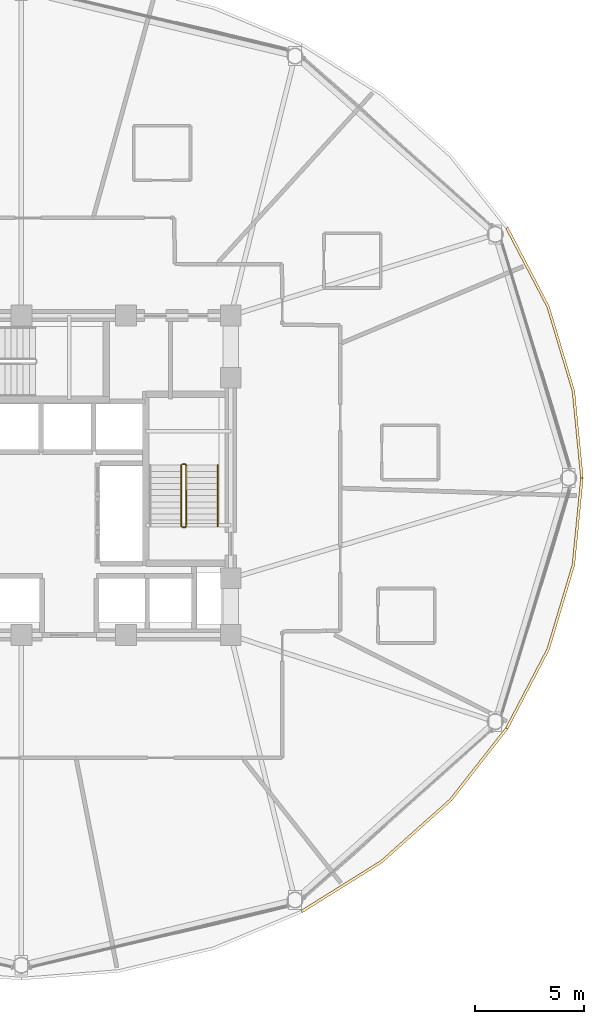
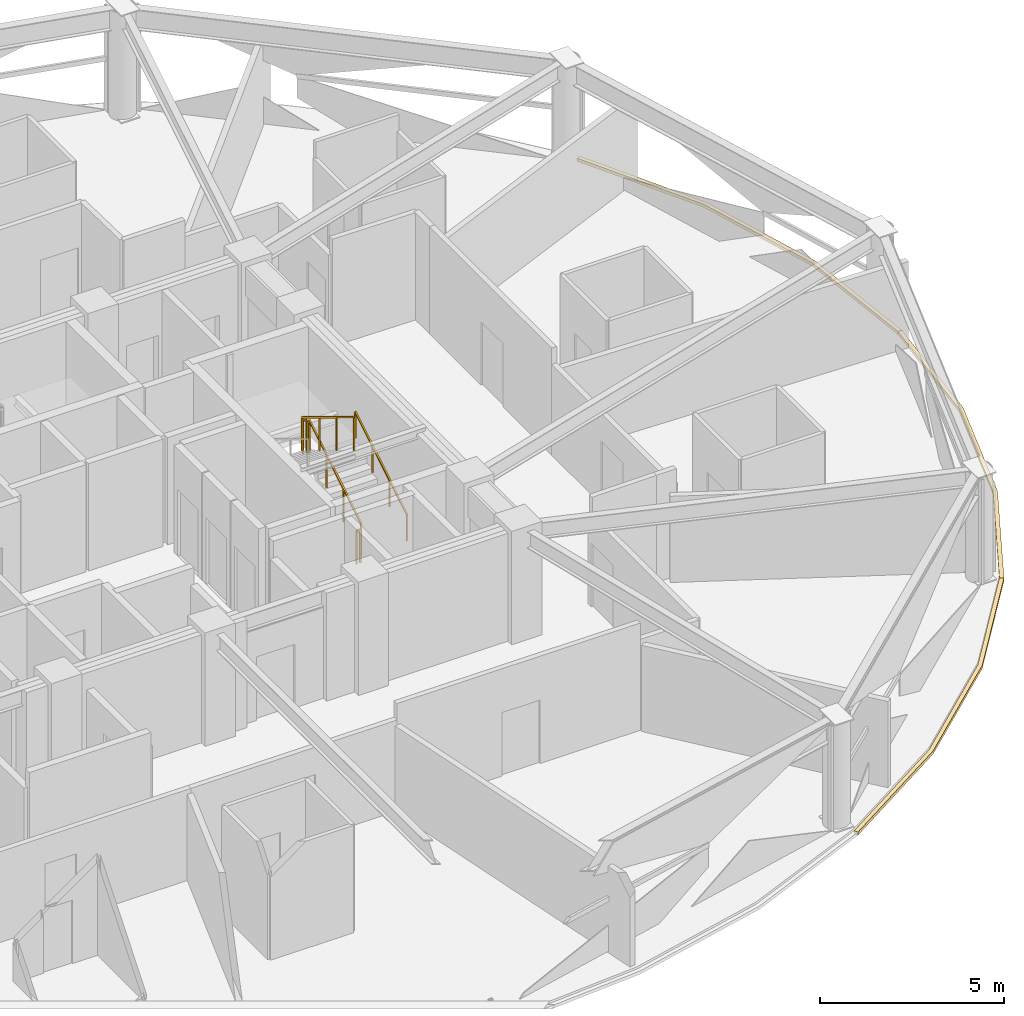
# One storey, part 29 of 30: 5 railings, 3 coverings.
"""IFC4 building model written with IfcOpenShell, lengths in metres."""

from ifc_helpers import new_model, si_unit, direction, frame, origin, origin_2d, place, context, subcontext, project, spatial, polyline, rectangle, outline, extrude, material, layer, layer_set, type_object, element, save


model = new_model("IFC4")

# Units and contexts
model_context = context("Model", 3, precision=1e-05, world=origin(), true_north=direction((0.0, 1.0)))
body_context = subcontext(model_context, "Body", "Model", "MODEL_VIEW")
ifc_project = project(units=[si_unit("LENGTHUNIT", "METRE"), si_unit("AREAUNIT", "SQUARE_METRE"), si_unit("VOLUMEUNIT", "CUBIC_METRE"), si_unit("PLANEANGLEUNIT", "RADIAN"), si_unit("MASSUNIT", "GRAM", prefix="KILO")], contexts=[model_context])

# Site, building, storey
site_placement = place(None, origin())
site = spatial("IfcSite", under=ifc_project, at=site_placement, CompositionType="ELEMENT")
building_placement = place(site_placement, origin())
building = spatial("IfcBuilding", under=site, at=building_placement, Name="Vantalir Tower", CompositionType="ELEMENT")
storey_placement = place(building_placement, frame((0.0, 0.0, 130.949951171875)))
storey = spatial("IfcBuildingStorey", under=building, at=storey_placement, Name="L32", CompositionType="ELEMENT", Elevation=130.949951171875)

# Coverings
ifc_material_1 = material(Name="Anodised champagne aluminium sill fascia", Category="aluminium")
ifc_layer = layer(ifc_material_1, 0.125)
ifc_layer_set = layer_set([ifc_layer], Name="Anodised champagne aluminium sill fascia")
covering_type = type_object("IfcCoveringType", Name="COV-SLAB-FASCIA-125", PredefinedType="CLADDING", material=ifc_layer_set)
covering_1_placement = place(storey_placement, frame((0.0, 0.0, -0.179931640625)))
element("IfcCovering", 1, at=covering_1_placement, inside=storey, type_object=covering_type, Name="L32 Perimeter Slab-Edge Sill Fascia 01", PredefinedType="CLADDING", context=body_context, shape_type="SweptSolid", body=[
    extrude(outline(polyline([(57.26806640625, 25.0), (56.876953125, 28.9970703125), (55.714111328125, 32.873046875), (53.81591796875, 36.510009765625), (53.70703125, 36.447021484375), (55.596923828125, 32.8310546875), (56.7529296875, 28.97607421875), (57.14306640625, 25.0), (57.26806640625, 25.0)])), origin(), (0.0, 0.0, 1.0), 0.10498046875),
])
covering_2_placement = place(storey_placement, frame((0.0, 0.0, -0.179931640625)))
element("IfcCovering", 2, at=covering_2_placement, inside=storey, type_object=covering_type, Name="L32 Perimeter Slab-Edge Sill Fascia 11", PredefinedType="CLADDING", context=body_context, shape_type="SweptSolid", body=[
    extrude(outline(polyline([(44.384033203125, 5.06396484375), (48.06298828125, 7.365966796875), (51.239013671875, 10.202880859375), (53.81591796875, 13.489990234375), (53.70703125, 13.552001953125), (51.14404296875, 10.282958984375), (47.98291015625, 7.4609375), (44.322021484375, 5.172119140625), (44.384033203125, 5.06396484375)])), origin(), (0.0, 0.0, 1.0), 0.10498046875),
])
covering_3_placement = place(storey_placement, frame((0.0, 0.0, -0.179931640625)))
element("IfcCovering", 3, at=covering_3_placement, inside=storey, type_object=covering_type, Name="L32 Perimeter Slab-Edge Sill Fascia 12", PredefinedType="CLADDING", context=body_context, shape_type="SweptSolid", body=[
    extrude(outline(polyline([(53.81591796875, 13.489990234375), (55.714111328125, 17.126953125), (56.876953125, 21.0029296875), (57.26806640625, 25.0), (57.14306640625, 25.0), (56.7529296875, 21.02392578125), (55.596923828125, 17.1689453125), (53.70703125, 13.552001953125), (53.81591796875, 13.489990234375)])), origin(), (0.0, 0.0, 1.0), 0.10498046875),
])

# Railings
ifc_material_2 = material(Name="Anodised aluminium and stainless steel guard", Category="steel")
railing_type_1 = type_object("IfcRailingType", Name="RAL-GUARD-1120", PredefinedType="GUARDRAIL", material=ifc_material_2)
railing_1_placement = place(storey_placement, frame((39.06005859375, 22.7900390625, 0.17041015625)))
element("IfcRailing", 4, at=railing_1_placement, inside=storey, type_object=railing_type_1, Name="L32 ST2 stair guard 1", PredefinedType="GUARDRAIL", context=body_context, shape_type="SweptSolid", body=[
    extrude(rectangle(XDim=0.048095703125, YDim=0.048095703125, at=origin_2d()), frame((0.0, 0.0, 1.09619140625), z_axis=(0.0, 0.854169791009, 0.51999420009), x_axis=(-1.0, 0.0, 0.0)), (0.0, 0.0, 1.0), 3.278076171875),
    extrude(rectangle(XDim=0.0419921875, YDim=0.0419921875, at=origin_2d()), origin(), (0.0, 0.0, 1.0), 1.072021484375),
    extrude(rectangle(XDim=0.0419921875, YDim=0.0419921875, at=origin_2d()), frame((0.0, 0.933349609375, 0.568115234375)), (0.0, 0.0, 1.0), 1.072021484375),
    extrude(rectangle(XDim=0.0419921875, YDim=0.0419921875, at=origin_2d()), frame((0.0, 1.86669921875, 1.136474609375)), (0.0, 0.0, 1.0), 1.072021484375),
    extrude(rectangle(XDim=0.0419921875, YDim=0.0419921875, at=origin_2d()), frame((0.0, 2.800048828125, 1.70458984375)), (0.0, 0.0, 1.0), 1.072021484375),
])
railing_2_placement = place(storey_placement, frame((39.010009765625, 25.639892578125, 1.875)))
element("IfcRailing", 5, at=railing_2_placement, inside=storey, type_object=railing_type_1, Name="L32 ST2 stair guard 2", PredefinedType="GUARDRAIL", context=body_context, shape_type="SweptSolid", body=[
    extrude(rectangle(XDim=0.048095703125, YDim=0.048095703125, at=origin_2d()), frame((0.0, 0.0, 1.09619140625), z_axis=(-1.0, 0.0, 0.0), x_axis=(0.0, -1.0, 0.0)), (0.0, 0.0, 1.0), 0.1201171875),
    extrude(rectangle(XDim=0.0419921875, YDim=0.0419921875, at=origin_2d()), origin(), (0.0, 0.0, 1.0), 1.072021484375),
    extrude(rectangle(XDim=0.0419921875, YDim=0.0419921875, at=origin_2d()), frame((-0.1201171875, 0.0, 0.0)), (0.0, 0.0, 1.0), 1.072021484375),
])
railing_3_placement = place(storey_placement, frame((38.840087890625, 25.590087890625, 2.04541015625)))
element("IfcRailing", 6, at=railing_3_placement, inside=storey, type_object=railing_type_1, Name="L32 ST2 stair guard 3", PredefinedType="GUARDRAIL", context=body_context, shape_type="SweptSolid", body=[
    extrude(rectangle(XDim=0.048095703125, YDim=0.048095703125, at=origin_2d()), frame((0.0, 0.0, 1.09619140625), z_axis=(0.0, -0.854169791009, 0.51999420009), x_axis=(1.0, 0.0, 0.0)), (0.0, 0.0, 1.0), 3.278076171875),
    extrude(rectangle(XDim=0.0419921875, YDim=0.0419921875, at=origin_2d()), origin(), (0.0, 0.0, 1.0), 1.072021484375),
    extrude(rectangle(XDim=0.0419921875, YDim=0.0419921875, at=origin_2d()), frame((0.0, -0.933349609375, 0.568115234375)), (0.0, 0.0, 1.0), 1.072021484375),
    extrude(rectangle(XDim=0.0419921875, YDim=0.0419921875, at=origin_2d()), frame((0.0, -1.86669921875, 1.136474609375)), (0.0, 0.0, 1.0), 1.072021484375),
    extrude(rectangle(XDim=0.0419921875, YDim=0.0419921875, at=origin_2d()), frame((0.0, -2.800048828125, 1.70458984375)), (0.0, 0.0, 1.0), 1.072021484375),
])
railing_4_placement = place(storey_placement, frame((39.010009765625, 22.739990234375, 0.0)))
element("IfcRailing", 7, at=railing_4_placement, inside=storey, type_object=railing_type_1, Name="L32 ST2 stair guard 4", PredefinedType="GUARDRAIL", context=body_context, shape_type="SweptSolid", body=[
    extrude(rectangle(XDim=0.048095703125, YDim=0.048095703125, at=origin_2d()), frame((0.0, 0.0, 1.09619140625), z_axis=(-1.0, 0.0, 0.0), x_axis=(0.0, -1.0, 0.0)), (0.0, 0.0, 1.0), 0.1201171875),
    extrude(rectangle(XDim=0.0419921875, YDim=0.0419921875, at=origin_2d()), origin(), (0.0, 0.0, 1.0), 1.072021484375),
    extrude(rectangle(XDim=0.0419921875, YDim=0.0419921875, at=origin_2d()), frame((-0.1201171875, 0.0, 0.0)), (0.0, 0.0, 1.0), 1.072021484375),
])
ifc_material_3 = material(Name="Brushed stainless steel tubular handrail", Category="steel")
railing_type_2 = type_object("IfcRailingType", Name="RAL-HANDRAIL-900", PredefinedType="HANDRAIL", material=ifc_material_3)
railing_5_placement = place(storey_placement, frame((40.5, 22.7900390625, 0.17041015625)))
element("IfcRailing", 8, at=railing_5_placement, inside=storey, type_object=railing_type_2, Name="L32 ST2 stair handrail 1", PredefinedType="HANDRAIL", context=body_context, shape_type="SweptSolid", body=[
    extrude(rectangle(XDim=0.048095703125, YDim=0.048095703125, at=origin_2d()), frame((0.0, 0.0, 0.8759765625), z_axis=(0.0, 0.854169791009, 0.51999420009), x_axis=(-1.0, 0.0, 0.0)), (0.0, 0.0, 1.0), 3.278076171875),
    extrude(rectangle(XDim=0.0419921875, YDim=0.0419921875, at=origin_2d()), origin(), (0.0, 0.0, 1.0), 0.851806640625),
    extrude(rectangle(XDim=0.0419921875, YDim=0.0419921875, at=origin_2d()), frame((0.0, 0.933349609375, 0.568115234375)), (0.0, 0.0, 1.0), 0.851806640625),
    extrude(rectangle(XDim=0.0419921875, YDim=0.0419921875, at=origin_2d()), frame((0.0, 1.86669921875, 1.136474609375)), (0.0, 0.0, 1.0), 0.851806640625),
    extrude(rectangle(XDim=0.0419921875, YDim=0.0419921875, at=origin_2d()), frame((0.0, 2.800048828125, 1.70458984375)), (0.0, 0.0, 1.0), 0.851806640625),
])

save(model, "model.ifc")
